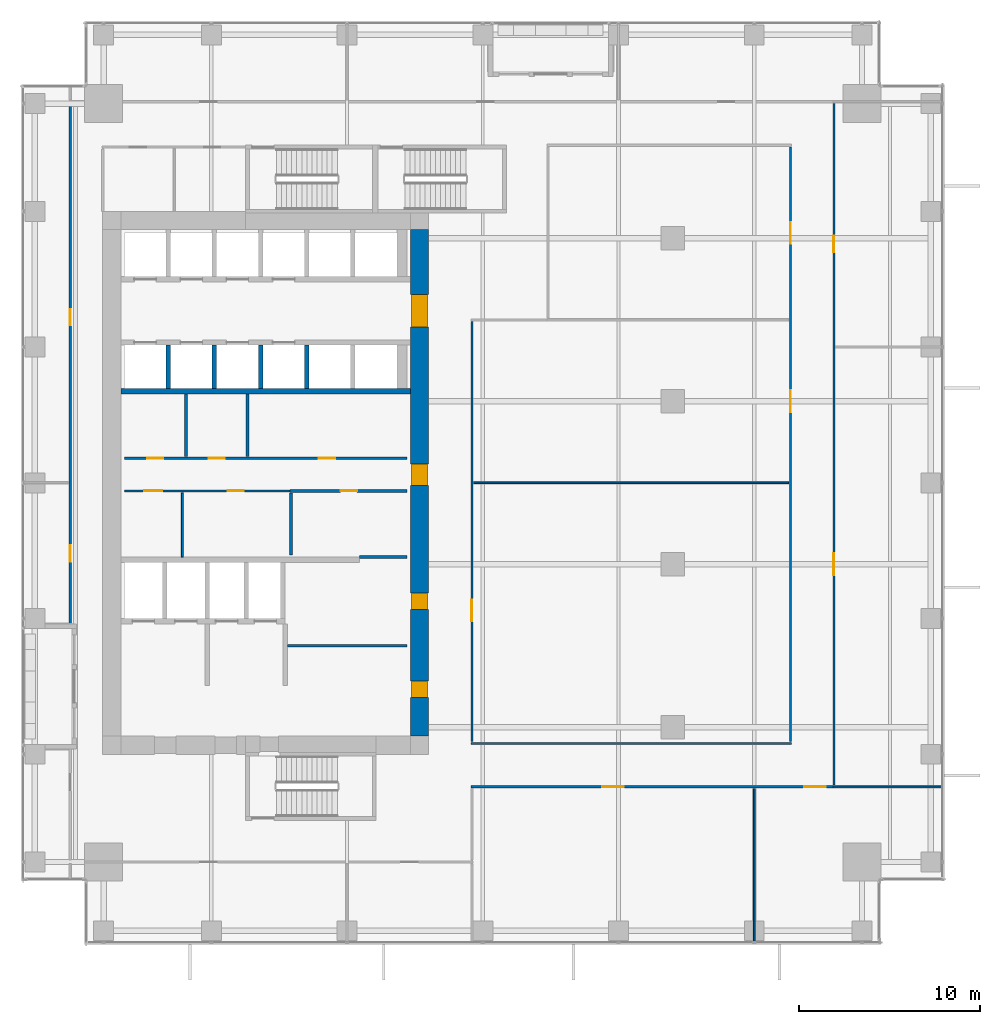
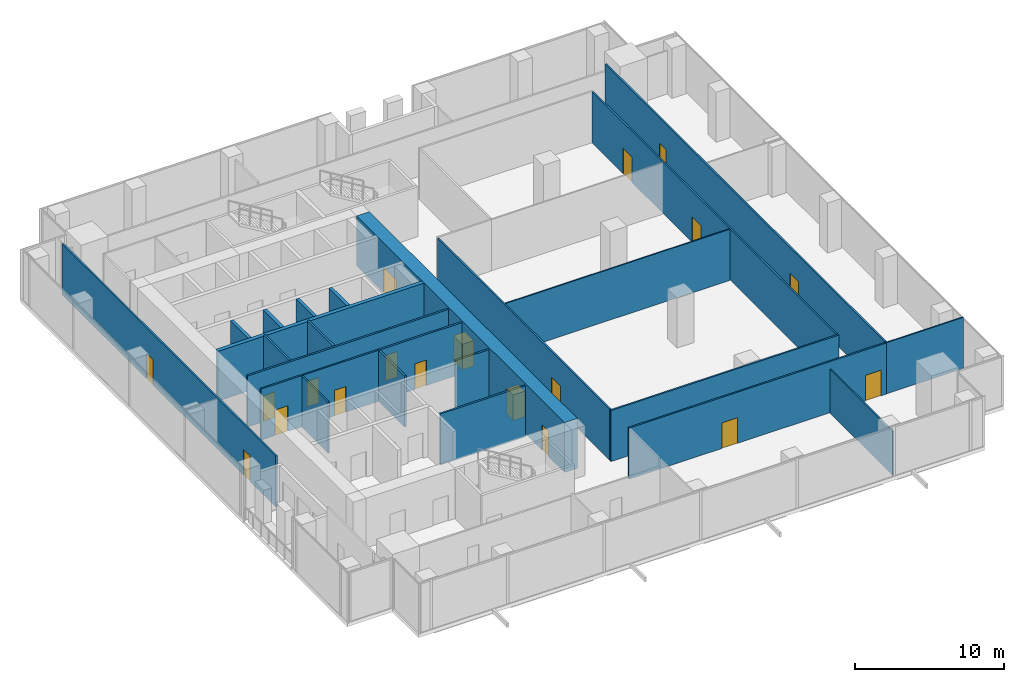
# One storey, part 29 of 34: 24 walls, 19 doors, 19 openings.
"""IFC4 building model written with IfcOpenShell, lengths in metres."""

from ifc_helpers import new_model, si_unit, direction, frame, frame_2d, origin, place, context, subcontext, project, spatial, rectangle, extrude, source, transform, mapped, material, layer, layer_set, type_object, element, fill, save


model = new_model("IFC4")

# Units and contexts
model_context = context("Model", 3, precision=1e-05, world=origin(), true_north=direction((0.0, 1.0)))
body_context = subcontext(model_context, "Body", "Model", "MODEL_VIEW")
ifc_project = project(units=[si_unit("LENGTHUNIT", "METRE"), si_unit("AREAUNIT", "SQUARE_METRE"), si_unit("VOLUMEUNIT", "CUBIC_METRE"), si_unit("PLANEANGLEUNIT", "RADIAN"), si_unit("MASSUNIT", "GRAM", prefix="KILO")], contexts=[model_context])

# Site, building, storey
site_placement = place(None, origin())
site = spatial("IfcSite", under=ifc_project, at=site_placement, CompositionType="ELEMENT")
building_placement = place(site_placement, origin())
building = spatial("IfcBuilding", under=site, at=building_placement, Name="Khomas Fold Tower", CompositionType="ELEMENT")
storey_placement = place(building_placement, frame((0.0, 0.0, 123.5)))
storey = spatial("IfcBuildingStorey", under=building, at=storey_placement, Name="L26", CompositionType="ELEMENT", Elevation=123.5)

# Wall, openings, doors
ifc_material_1 = material(Name="Concrete C70/85", Category="concrete")
ifc_layer_1 = layer(ifc_material_1, 1.0)
ifc_layer_set_1 = layer_set([ifc_layer_1], Name="Concrete C70/85")
wall_type_1 = type_object("IfcWallType", Name="Core wall 1000", PredefinedType="SHEAR", material=ifc_layer_set_1)
shared_shape_1 = source(origin(), body_context, "Body", "SweptSolid", [
    extrude(rectangle(XDim=28.0, YDim=1.0, at=frame_2d((14.0, 0.0))), origin(), (0.0, 0.0, 1.0), 4.10009765625),
])
wall_1_placement = place(storey_placement, frame((23.5, 13.0, 0.0), z_axis=(0.0, 0.0, 1.0), x_axis=(0.0, 1.0, 0.0)))
wall_1 = element("IfcWall", 1, at=wall_1_placement, inside=storey, type_object=wall_type_1, Name="Core wall CW-L-E-L21", PredefinedType="SHEAR", context=body_context, shape_type="MappedRepresentation", body=[
    mapped(shared_shape_1, transform((0.0, 0.0, 0.0))),
])
shared_shape_2 = source(origin(), body_context, "Body", "SweptSolid", [
    extrude(rectangle(XDim=1.800048828125, YDim=2.10009765625, at=frame_2d((0.89990234375, 1.050048828125))), frame((0.0, 0.510009765625, 0.0), z_axis=(0.0, -1.0, 0.0), x_axis=(1.0, 0.0, 0.0)), (0.0, 0.0, 1.0), 1.02001953125),
])
opening_1_placement = place(wall_1_placement, frame((22.60009765625, 0.0, 0.0)))
opening_1 = element("IfcOpeningElement", 2, at=opening_1_placement, cuts=wall_1, Name="Opening 0015", PredefinedType="OPENING", context=body_context, shape_type="MappedRepresentation", body=[
    mapped(shared_shape_2, transform((0.0, 0.0, 0.0))),
])
shared_shape_3 = source(origin(), body_context, "Body", "SweptSolid", [
    extrude(rectangle(XDim=1.199951171875, YDim=2.10009765625, at=frame_2d((0.60009765625, 1.050048828125))), frame((0.0, 0.510009765625, 0.0), z_axis=(0.0, -1.0, 0.0), x_axis=(1.0, 0.0, 0.0)), (0.0, 0.0, 1.0), 1.02001953125),
])
opening_2_placement = place(wall_1_placement, frame((13.85009765625, 0.0, 0.0)))
opening_2 = element("IfcOpeningElement", 3, at=opening_2_placement, cuts=wall_1, Name="Opening 0001", PredefinedType="OPENING", context=body_context, shape_type="MappedRepresentation", body=[
    mapped(shared_shape_3, transform((0.0, 0.0, 0.0))),
])
shared_shape_4 = source(origin(), body_context, "Body", "SweptSolid", [
    extrude(rectangle(XDim=0.89990234375, YDim=2.10009765625, at=frame_2d((0.449951171875, 1.050048828125))), frame((0.0, 0.510009765625, 0.0), z_axis=(0.0, -1.0, 0.0), x_axis=(1.0, 0.0, 0.0)), (0.0, 0.0, 1.0), 1.02001953125),
])
opening_3_placement = place(wall_1_placement, frame((2.14990234375, 0.0, 0.0)))
opening_3 = element("IfcOpeningElement", 4, at=opening_3_placement, cuts=wall_1, Name="Opening 0003", PredefinedType="OPENING", context=body_context, shape_type="MappedRepresentation", body=[
    mapped(shared_shape_4, transform((0.0, 0.0, 0.0))),
])
opening_4_placement = place(wall_1_placement, frame((7.0, 0.0, 0.0)))
opening_4 = element("IfcOpeningElement", 5, at=opening_4_placement, cuts=wall_1, Name="Opening 0003", PredefinedType="OPENING", context=body_context, shape_type="MappedRepresentation", body=[
    mapped(shared_shape_4, transform((0.0, 0.0, 0.0))),
])
ifc_material_2 = material(Name="Steel door leaf", Category="steel")
door_type_1 = type_object("IfcDoorType", Name="Lobby door 1800x2100", OperationType="DOUBLE_DOOR_SINGLE_SWING", PredefinedType="DOOR", material=ifc_material_2)
shared_shape_5 = source(origin(), body_context, "Body", "SweptSolid", [
    extrude(rectangle(XDim=1.800048828125, YDim=2.10009765625, at=frame_2d((0.89990234375, 1.050048828125))), frame((0.0, 0.449951171875, 0.0), z_axis=(0.0, -1.0, 0.0), x_axis=(1.0, 0.0, 0.0)), (0.0, 0.0, 1.0), 0.89990234375),
])
door_1_placement = place(opening_1_placement, origin())
door_1 = element("IfcDoor", 6, at=door_1_placement, inside=storey, type_object=door_type_1, Name="Lobby door", OperationType="DOUBLE_DOOR_SINGLE_SWING", OverallHeight=2.10009765625, OverallWidth=1.800048828125, PredefinedType="DOOR", context=body_context, shape_type="MappedRepresentation", body=[
    mapped(shared_shape_5, transform((0.0, 0.0, 0.0))),
])
fill(opening_1, door_1)
ifc_material_3 = material(Name="Timber door leaf", Category="wood")
door_type_2 = type_object("IfcDoorType", Name="Door 1200x2100 right-hand", OperationType="SINGLE_SWING_RIGHT", PredefinedType="DOOR", material=ifc_material_3)
shared_shape_6 = source(origin(), body_context, "Body", "SweptSolid", [
    extrude(rectangle(XDim=1.199951171875, YDim=2.10009765625, at=frame_2d((0.60009765625, 1.050048828125))), frame((0.0, 0.449951171875, 0.0), z_axis=(0.0, -1.0, 0.0), x_axis=(1.0, 0.0, 0.0)), (0.0, 0.0, 1.0), 0.89990234375),
])
door_2_placement = place(opening_2_placement, origin())
door_2 = element("IfcDoor", 7, at=door_2_placement, inside=storey, type_object=door_type_2, Name="Door", OperationType="SINGLE_SWING_RIGHT", OverallHeight=2.10009765625, OverallWidth=1.199951171875, PredefinedType="DOOR", context=body_context, shape_type="MappedRepresentation", body=[
    mapped(shared_shape_6, transform((0.0, 0.0, 0.0))),
])
fill(opening_2, door_2)
ifc_material_4 = material(Name="Steel door leaf", Category="steel")
door_type_3 = type_object("IfcDoorType", Name="Plant room door 900x2100 right-hand", OperationType="SINGLE_SWING_RIGHT", PredefinedType="DOOR", material=ifc_material_4)
shared_shape_7 = source(origin(), body_context, "Body", "SweptSolid", [
    extrude(rectangle(XDim=0.89990234375, YDim=2.10009765625, at=frame_2d((0.449951171875, 1.050048828125))), frame((0.0, 0.449951171875, 0.0), z_axis=(0.0, -1.0, 0.0), x_axis=(1.0, 0.0, 0.0)), (0.0, 0.0, 1.0), 0.89990234375),
])
door_3_placement = place(opening_3_placement, origin())
door_3 = element("IfcDoor", 8, at=door_3_placement, inside=storey, type_object=door_type_3, Name="Plant room door", OperationType="SINGLE_SWING_RIGHT", OverallHeight=2.10009765625, OverallWidth=0.89990234375, PredefinedType="DOOR", context=body_context, shape_type="MappedRepresentation", body=[
    mapped(shared_shape_7, transform((0.0, 0.0, 0.0))),
])
fill(opening_3, door_3)
door_4_placement = place(opening_4_placement, origin())
door_4 = element("IfcDoor", 9, at=door_4_placement, inside=storey, type_object=door_type_3, Name="Plant room door", OperationType="SINGLE_SWING_RIGHT", OverallHeight=2.10009765625, OverallWidth=0.89990234375, PredefinedType="DOOR", context=body_context, shape_type="MappedRepresentation", body=[
    mapped(shared_shape_7, transform((0.0, 0.0, 0.0))),
])
fill(opening_4, door_4)

# Walls
ifc_material_5 = material(Name="Concrete C50/60", Category="concrete")
ifc_layer_2 = layer(ifc_material_5, 0.300048828125)
ifc_layer_set_2 = layer_set([ifc_layer_2], Name="Concrete C50/60")
wall_type_2 = type_object("IfcWallType", Name="Shaft wall 300", PredefinedType="STANDARD", material=ifc_layer_set_2)
shared_shape_8 = source(origin(), body_context, "Body", "SweptSolid", [
    extrude(rectangle(XDim=16.0, YDim=0.300048828125, at=frame_2d((8.0, 0.0))), origin(), (0.0, 0.0, 1.0), 4.10009765625),
])
wall_2_placement = place(storey_placement, frame((7.0, 32.050048828125, 0.0), z_axis=(0.0, 0.0, 1.0), x_axis=(1.0, 0.0, 0.0)))
element("IfcWall", 10, at=wall_2_placement, inside=storey, type_object=wall_type_2, Name="Core wall SW-HRN-B", PredefinedType="STANDARD", context=body_context, shape_type="MappedRepresentation", body=[
    mapped(shared_shape_8, transform((0.0, 0.0, 0.0))),
])
ifc_material_6 = material(Name="Concrete C50/60", Category="concrete")
ifc_layer_3 = layer(ifc_material_6, 0.25)
ifc_layer_set_3 = layer_set([ifc_layer_3], Name="Concrete C50/60")
wall_type_3 = type_object("IfcWallType", Name="Shaft wall 250", PredefinedType="STANDARD", material=ifc_layer_set_3)
shared_shape_9 = source(origin(), body_context, "Body", "SweptSolid", [
    extrude(rectangle(XDim=2.400146484375, YDim=0.25, at=frame_2d((1.2001953125, 0.0))), origin(), (0.0, 0.0, 1.0), 4.10009765625),
])
for number, where, z_axis, x_axis, name in (
    (11, (9.625, 32.199951171875, 0.0), (0.0, 0.0, 1.0), (0.0, 1.0, 0.0), "Core wall SW-LRS-P1"),
    (12, (12.175048828125, 32.199951171875, 0.0), (0.0, 0.0, 1.0), (0.0, 1.0, 0.0), "Core wall SW-LRS-P2"),
    (13, (14.72509765625, 32.199951171875, 0.0), (0.0, 0.0, 1.0), (0.0, 1.0, 0.0), "Core wall SW-LRS-P3"),
    (14, (17.27490234375, 32.199951171875, 0.0), (0.0, 0.0, 1.0), (0.0, 1.0, 0.0), "Core wall SW-LRS-P4"),
):
    element("IfcWall", number, at=place(storey_placement, frame(where, z_axis=z_axis, x_axis=x_axis)), inside=storey, type_object=wall_type_3, Name=name, PredefinedType="STANDARD", context=body_context, shape_type="MappedRepresentation", body=[
        mapped(shared_shape_9, transform((0.0, 0.0, 0.0))),
    ])

# Wall, openings, doors
ifc_material_7 = material(Name="Plasterboard fire partition")
ifc_layer_4 = layer(ifc_material_7, 0.14990234375)
ifc_layer_set_4 = layer_set([ifc_layer_4], Name="Plasterboard fire partition")
wall_type_4 = type_object("IfcWallType", Name="Plant room wall PW3 150", PredefinedType="PARTITIONING", material=ifc_layer_set_4)
shared_shape_10 = source(origin(), body_context, "Body", "SweptSolid", [
    extrude(rectangle(XDim=15.60009765625, YDim=0.14990234375, at=frame_2d((7.800048828125, 0.0))), origin(), (0.0, 0.0, 1.0), 4.199951171875),
])
wall_3_placement = place(storey_placement, frame((7.199951171875, 28.35009765625, 0.0), z_axis=(0.0, 0.0, 1.0), x_axis=(1.0, 0.0, 0.0)))
wall_3 = element("IfcWall", 15, at=wall_3_placement, inside=storey, type_object=wall_type_4, Name="Plant room wall", PredefinedType="PARTITIONING", context=body_context, shape_type="MappedRepresentation", body=[
    mapped(shared_shape_10, transform((0.0, 0.0, 0.0))),
])
shared_shape_11 = source(origin(), body_context, "Body", "SweptSolid", [
    extrude(rectangle(XDim=0.89990234375, YDim=2.10009765625, at=frame_2d((0.449951171875, 1.050048828125))), frame((0.0, 0.0849609375, 0.0), z_axis=(0.0, -1.0, 0.0), x_axis=(1.0, 0.0, 0.0)), (0.0, 0.0, 1.0), 0.169921875),
])
opening_5_placement = place(wall_3_placement, frame((1.25, 0.0, 0.0)))
opening_5 = element("IfcOpeningElement", 16, at=opening_5_placement, cuts=wall_3, Name="Opening 0003", PredefinedType="OPENING", context=body_context, shape_type="MappedRepresentation", body=[
    mapped(shared_shape_11, transform((0.0, 0.0, 0.0))),
])
opening_6_placement = place(wall_3_placement, frame((4.64990234375, 0.0, 0.0)))
opening_6 = element("IfcOpeningElement", 17, at=opening_6_placement, cuts=wall_3, Name="Opening 0002", PredefinedType="OPENING", context=body_context, shape_type="MappedRepresentation", body=[
    mapped(shared_shape_11, transform((0.0, 0.0, 0.0))),
])
opening_7_placement = place(wall_3_placement, frame((10.75, 0.0, 0.0)))
opening_7 = element("IfcOpeningElement", 18, at=opening_7_placement, cuts=wall_3, Name="Opening 0003", PredefinedType="OPENING", context=body_context, shape_type="MappedRepresentation", body=[
    mapped(shared_shape_11, transform((0.0, 0.0, 0.0))),
])
shared_shape_12 = source(origin(), body_context, "Body", "SweptSolid", [
    extrude(rectangle(XDim=0.89990234375, YDim=2.10009765625, at=frame_2d((0.449951171875, 1.050048828125))), frame((0.0, 0.02490234375, 0.0), z_axis=(0.0, -1.0, 0.0), x_axis=(1.0, 0.0, 0.0)), (0.0, 0.0, 1.0), 0.050048828125),
])
door_5_placement = place(opening_5_placement, origin())
door_5 = element("IfcDoor", 19, at=door_5_placement, inside=storey, type_object=door_type_3, Name="Plant room door", OperationType="SINGLE_SWING_RIGHT", OverallHeight=2.10009765625, OverallWidth=0.89990234375, PredefinedType="DOOR", context=body_context, shape_type="MappedRepresentation", body=[
    mapped(shared_shape_12, transform((0.0, 0.0, 0.0))),
])
fill(opening_5, door_5)
ifc_material_8 = material(Name="Steel door leaf", Category="steel")
door_type_4 = type_object("IfcDoorType", Name="Plant room door 900x2100 left-hand", OperationType="SINGLE_SWING_LEFT", PredefinedType="DOOR", material=ifc_material_8)
door_6_placement = place(opening_6_placement, origin())
door_6 = element("IfcDoor", 20, at=door_6_placement, inside=storey, type_object=door_type_4, Name="Plant room door", OperationType="SINGLE_SWING_LEFT", OverallHeight=2.10009765625, OverallWidth=0.89990234375, PredefinedType="DOOR", context=body_context, shape_type="MappedRepresentation", body=[
    mapped(shared_shape_12, transform((0.0, 0.0, 0.0))),
])
fill(opening_6, door_6)
door_7_placement = place(opening_7_placement, origin())
door_7 = element("IfcDoor", 21, at=door_7_placement, inside=storey, type_object=door_type_3, Name="Plant room door", OperationType="SINGLE_SWING_RIGHT", OverallHeight=2.10009765625, OverallWidth=0.89990234375, PredefinedType="DOOR", context=body_context, shape_type="MappedRepresentation", body=[
    mapped(shared_shape_12, transform((0.0, 0.0, 0.0))),
])
fill(opening_7, door_7)

# Wall
ifc_material_9 = material(Name="Plasterboard partition")
ifc_layer_5 = layer(ifc_material_9, 0.10009765625)
ifc_layer_set_5 = layer_set([ifc_layer_5], Name="Plasterboard partition")
wall_type_5 = type_object("IfcWallType", Name="Partition PW1 100", PredefinedType="PARTITIONING", material=ifc_layer_set_5)
shared_shape_13 = source(origin(), body_context, "Body", "SweptSolid", [
    extrude(rectangle(XDim=8.4501953125, YDim=0.10009765625, at=frame_2d((4.22509765625, 0.0))), origin(), (0.0, 0.0, 1.0), 3.60009765625),
])
wall_4_placement = place(storey_placement, frame((42.0, 1.64990234375, 0.0), z_axis=(0.0, 0.0, 1.0), x_axis=(0.0, 1.0, 0.0)))
element("IfcWall", 22, at=wall_4_placement, inside=storey, type_object=wall_type_5, Name="Partition", PredefinedType="PARTITIONING", context=body_context, shape_type="MappedRepresentation", body=[
    mapped(shared_shape_13, transform((0.0, 0.0, 0.0))),
])

# Wall, openings, doors
ifc_material_10 = material(Name="Plasterboard partition")
ifc_layer_6 = layer(ifc_material_10, 0.125)
ifc_layer_set_6 = layer_set([ifc_layer_6], Name="Plasterboard partition")
wall_type_6 = type_object("IfcWallType", Name="Partition PW2 125", PredefinedType="PARTITIONING", material=ifc_layer_set_6)
shared_shape_14 = source(origin(), body_context, "Body", "SweptSolid", [
    extrude(rectangle(XDim=20.0, YDim=0.125, at=frame_2d((10.0, 0.0))), origin(), (0.0, 0.0, 1.0), 4.199951171875),
])
wall_5_placement = place(storey_placement, frame((26.35009765625, 10.199951171875, 0.0), z_axis=(0.0, 0.0, 1.0), x_axis=(1.0, 0.0, 0.0)))
wall_5 = element("IfcWall", 23, at=wall_5_placement, inside=storey, type_object=wall_type_6, Name="Partition", PredefinedType="PARTITIONING", context=body_context, shape_type="MappedRepresentation", body=[
    mapped(shared_shape_14, transform((0.0, 0.0, 0.0))),
])
shared_shape_15 = source(origin(), body_context, "Body", "SweptSolid", [
    extrude(rectangle(XDim=1.199951171875, YDim=2.10009765625, at=frame_2d((0.60009765625, 1.050048828125))), frame((0.0, 0.072509765625, 0.0), z_axis=(0.0, -1.0, 0.0), x_axis=(1.0, 0.0, 0.0)), (0.0, 0.0, 1.0), 0.14501953125),
])
opening_8_placement = place(wall_5_placement, frame((7.25, 0.0, 0.0)))
opening_8 = element("IfcOpeningElement", 24, at=opening_8_placement, cuts=wall_5, Name="Opening 0001", PredefinedType="OPENING", context=body_context, shape_type="MappedRepresentation", body=[
    mapped(shared_shape_15, transform((0.0, 0.0, 0.0))),
])
opening_9_placement = place(wall_5_placement, frame((18.39990234375, 0.0, 0.0)))
opening_9 = element("IfcOpeningElement", 25, at=opening_9_placement, cuts=wall_5, Name="Opening 0001", PredefinedType="OPENING", context=body_context, shape_type="MappedRepresentation", body=[
    mapped(shared_shape_15, transform((0.0, 0.0, 0.0))),
])
shared_shape_16 = source(origin(), body_context, "Body", "SweptSolid", [
    extrude(rectangle(XDim=1.199951171875, YDim=2.10009765625, at=frame_2d((0.60009765625, 1.050048828125))), frame((0.0, 0.02490234375, 0.0), z_axis=(0.0, -1.0, 0.0), x_axis=(1.0, 0.0, 0.0)), (0.0, 0.0, 1.0), 0.050048828125),
])
door_8_placement = place(opening_8_placement, origin())
door_8 = element("IfcDoor", 26, at=door_8_placement, inside=storey, type_object=door_type_2, Name="Door", OperationType="SINGLE_SWING_RIGHT", OverallHeight=2.10009765625, OverallWidth=1.199951171875, PredefinedType="DOOR", context=body_context, shape_type="MappedRepresentation", body=[
    mapped(shared_shape_16, transform((0.0, 0.0, 0.0))),
])
fill(opening_8, door_8)
door_9_placement = place(opening_9_placement, origin())
door_9 = element("IfcDoor", 27, at=door_9_placement, inside=storey, type_object=door_type_2, Name="Door", OperationType="SINGLE_SWING_RIGHT", OverallHeight=2.10009765625, OverallWidth=1.199951171875, PredefinedType="DOOR", context=body_context, shape_type="MappedRepresentation", body=[
    mapped(shared_shape_16, transform((0.0, 0.0, 0.0))),
])
fill(opening_9, door_9)

# Wall
shared_shape_17 = source(origin(), body_context, "Body", "SweptSolid", [
    extrude(rectangle(XDim=6.0, YDim=0.10009765625, at=frame_2d((3.0, 0.0))), origin(), (0.0, 0.0, 1.0), 4.199951171875),
])
wall_6_placement = place(storey_placement, frame((46.35009765625, 10.199951171875, 0.0), z_axis=(0.0, 0.0, 1.0), x_axis=(1.0, 0.0, 0.0)))
element("IfcWall", 28, at=wall_6_placement, inside=storey, type_object=wall_type_5, Name="Partition", PredefinedType="PARTITIONING", context=body_context, shape_type="MappedRepresentation", body=[
    mapped(shared_shape_17, transform((0.0, 0.0, 0.0))),
])

# Wall, openings, doors
shared_shape_18 = source(origin(), body_context, "Body", "SweptSolid", [
    extrude(rectangle(XDim=37.64990234375, YDim=0.125, at=frame_2d((18.824951171875, 0.0))), origin(), (0.0, 0.0, 1.0), 4.199951171875),
])
wall_7_placement = place(storey_placement, frame((46.39990234375, 10.300048828125, 0.0), z_axis=(0.0, 0.0, 1.0), x_axis=(0.0, 1.0, 0.0)))
wall_7 = element("IfcWall", 29, at=wall_7_placement, inside=storey, type_object=wall_type_6, Name="Partition", PredefinedType="PARTITIONING", context=body_context, shape_type="MappedRepresentation", body=[
    mapped(shared_shape_18, transform((0.0, 0.0, 0.0))),
])
opening_10_placement = place(wall_7_placement, frame((11.60009765625, 0.0, 0.0)))
opening_10 = element("IfcOpeningElement", 30, at=opening_10_placement, cuts=wall_7, Name="Opening 0001", PredefinedType="OPENING", context=body_context, shape_type="MappedRepresentation", body=[
    mapped(shared_shape_15, transform((0.0, 0.0, 0.0))),
])
shared_shape_19 = source(origin(), body_context, "Body", "SweptSolid", [
    extrude(rectangle(XDim=0.89990234375, YDim=2.10009765625, at=frame_2d((0.449951171875, 1.050048828125))), frame((0.0, 0.072509765625, 0.0), z_axis=(0.0, -1.0, 0.0), x_axis=(1.0, 0.0, 0.0)), (0.0, 0.0, 1.0), 0.14501953125),
])
opening_11_placement = place(wall_7_placement, frame((29.449951171875, 0.0, 0.0)))
opening_11 = element("IfcOpeningElement", 31, at=opening_11_placement, cuts=wall_7, Name="Opening 0008", PredefinedType="OPENING", context=body_context, shape_type="MappedRepresentation", body=[
    mapped(shared_shape_19, transform((0.0, 0.0, 0.0))),
])
ifc_material_11 = material(Name="Timber door leaf", Category="wood")
door_type_5 = type_object("IfcDoorType", Name="Door 900x2100 right-hand", OperationType="SINGLE_SWING_RIGHT", PredefinedType="DOOR", material=ifc_material_11)
door_10_placement = place(opening_11_placement, origin())
door_10 = element("IfcDoor", 32, at=door_10_placement, inside=storey, type_object=door_type_5, Name="Door", OperationType="SINGLE_SWING_RIGHT", OverallHeight=2.10009765625, OverallWidth=0.89990234375, PredefinedType="DOOR", context=body_context, shape_type="MappedRepresentation", body=[
    mapped(shared_shape_12, transform((0.0, 0.0, 0.0))),
])
fill(opening_11, door_10)
door_11_placement = place(opening_10_placement, origin())
door_11 = element("IfcDoor", 33, at=door_11_placement, inside=storey, type_object=door_type_2, Name="Door", OperationType="SINGLE_SWING_RIGHT", OverallHeight=2.10009765625, OverallWidth=1.199951171875, PredefinedType="DOOR", context=body_context, shape_type="MappedRepresentation", body=[
    mapped(shared_shape_16, transform((0.0, 0.0, 0.0))),
])
fill(opening_10, door_11)

# Wall
shared_shape_20 = source(origin(), body_context, "Body", "SweptSolid", [
    extrude(rectangle(XDim=17.699951171875, YDim=0.125, at=frame_2d((8.85009765625, 0.0))), origin(), (0.0, 0.0, 1.0), 4.199951171875),
])
wall_8_placement = place(storey_placement, frame((26.35009765625, 12.60009765625, 0.0), z_axis=(0.0, 0.0, 1.0), x_axis=(1.0, 0.0, 0.0)))
element("IfcWall", 34, at=wall_8_placement, inside=storey, type_object=wall_type_6, Name="Partition", PredefinedType="PARTITIONING", context=body_context, shape_type="MappedRepresentation", body=[
    mapped(shared_shape_20, transform((0.0, 0.0, 0.0))),
])

# Wall, opening, door
shared_shape_21 = source(origin(), body_context, "Body", "SweptSolid", [
    extrude(rectangle(XDim=23.199951171875, YDim=0.125, at=frame_2d((11.60009765625, 0.0))), origin(), (0.0, 0.0, 1.0), 4.199951171875),
])
wall_9_placement = place(storey_placement, frame((26.39990234375, 12.699951171875, 0.0), z_axis=(0.0, 0.0, 1.0), x_axis=(0.0, 1.0, 0.0)))
wall_9 = element("IfcWall", 35, at=wall_9_placement, inside=storey, type_object=wall_type_6, Name="Partition", PredefinedType="PARTITIONING", context=body_context, shape_type="MappedRepresentation", body=[
    mapped(shared_shape_21, transform((0.0, 0.0, 0.0))),
])
opening_12_placement = place(wall_9_placement, frame((6.64990234375, 0.0, 0.0)))
opening_12 = element("IfcOpeningElement", 36, at=opening_12_placement, cuts=wall_9, Name="Opening 0001", PredefinedType="OPENING", context=body_context, shape_type="MappedRepresentation", body=[
    mapped(shared_shape_15, transform((0.0, 0.0, 0.0))),
])
door_12_placement = place(opening_12_placement, origin())
door_12 = element("IfcDoor", 37, at=door_12_placement, inside=storey, type_object=door_type_2, Name="Door", OperationType="SINGLE_SWING_RIGHT", OverallHeight=2.10009765625, OverallWidth=1.199951171875, PredefinedType="DOOR", context=body_context, shape_type="MappedRepresentation", body=[
    mapped(shared_shape_16, transform((0.0, 0.0, 0.0))),
])
fill(opening_12, door_12)

# Wall, openings, doors
shared_shape_22 = source(origin(), body_context, "Body", "SweptSolid", [
    extrude(rectangle(XDim=32.85009765625, YDim=0.125, at=frame_2d((16.425048828125, 0.0))), origin(), (0.0, 0.0, 1.0), 4.199951171875),
])
wall_10_placement = place(storey_placement, frame((44.0, 12.699951171875, 0.0), z_axis=(0.0, 0.0, 1.0), x_axis=(0.0, 1.0, 0.0)))
wall_10 = element("IfcWall", 38, at=wall_10_placement, inside=storey, type_object=wall_type_6, Name="Partition", PredefinedType="PARTITIONING", context=body_context, shape_type="MappedRepresentation", body=[
    mapped(shared_shape_22, transform((0.0, 0.0, 0.0))),
])
opening_13_placement = place(wall_10_placement, frame((18.199951171875, 0.0, 0.0)))
opening_13 = element("IfcOpeningElement", 39, at=opening_13_placement, cuts=wall_10, Name="Opening 0013", PredefinedType="OPENING", context=body_context, shape_type="MappedRepresentation", body=[
    mapped(shared_shape_15, transform((0.0, 0.0, 0.0))),
])
opening_14_placement = place(wall_10_placement, frame((27.5, 0.0, 0.0)))
opening_14 = element("IfcOpeningElement", 40, at=opening_14_placement, cuts=wall_10, Name="Opening 0001", PredefinedType="OPENING", context=body_context, shape_type="MappedRepresentation", body=[
    mapped(shared_shape_15, transform((0.0, 0.0, 0.0))),
])
ifc_material_12 = material(Name="Timber door leaf", Category="wood")
door_type_6 = type_object("IfcDoorType", Name="Door 1200x2100 left-hand", OperationType="SINGLE_SWING_LEFT", PredefinedType="DOOR", material=ifc_material_12)
door_13_placement = place(opening_13_placement, origin())
door_13 = element("IfcDoor", 41, at=door_13_placement, inside=storey, type_object=door_type_6, Name="Door", OperationType="SINGLE_SWING_LEFT", OverallHeight=2.10009765625, OverallWidth=1.199951171875, PredefinedType="DOOR", context=body_context, shape_type="MappedRepresentation", body=[
    mapped(shared_shape_16, transform((0.0, 0.0, 0.0))),
])
fill(opening_13, door_13)
door_14_placement = place(opening_14_placement, origin())
door_14 = element("IfcDoor", 42, at=door_14_placement, inside=storey, type_object=door_type_2, Name="Door", OperationType="SINGLE_SWING_RIGHT", OverallHeight=2.10009765625, OverallWidth=1.199951171875, PredefinedType="DOOR", context=body_context, shape_type="MappedRepresentation", body=[
    mapped(shared_shape_16, transform((0.0, 0.0, 0.0))),
])
fill(opening_14, door_14)

# Walls
shared_shape_23 = source(origin(), body_context, "Body", "SweptSolid", [
    extrude(rectangle(XDim=6.60009765625, YDim=0.14990234375, at=frame_2d((3.300048828125, 0.0))), origin(), (0.0, 0.0, 1.0), 4.199951171875),
])
wall_11_placement = place(storey_placement, frame((16.199951171875, 18.0, 0.0), z_axis=(0.0, 0.0, 1.0), x_axis=(1.0, 0.0, 0.0)))
element("IfcWall", 43, at=wall_11_placement, inside=storey, type_object=wall_type_4, Name="Plant room wall", PredefinedType="PARTITIONING", context=body_context, shape_type="MappedRepresentation", body=[
    mapped(shared_shape_23, transform((0.0, 0.0, 0.0))),
])
shared_shape_24 = source(origin(), body_context, "Body", "SweptSolid", [
    extrude(rectangle(XDim=17.39990234375, YDim=0.10009765625, at=frame_2d((8.699951171875, 0.0))), origin(), (0.0, 0.0, 1.0), 4.199951171875),
])
wall_12_placement = place(storey_placement, frame((26.5, 27.0, 0.0), z_axis=(0.0, 0.0, 1.0), x_axis=(1.0, 0.0, 0.0)))
element("IfcWall", 44, at=wall_12_placement, inside=storey, type_object=wall_type_5, Name="Partition", PredefinedType="PARTITIONING", context=body_context, shape_type="MappedRepresentation", body=[
    mapped(shared_shape_24, transform((0.0, 0.0, 0.0))),
])
shared_shape_25 = source(origin(), body_context, "Body", "SweptSolid", [
    extrude(rectangle(XDim=2.60009765625, YDim=0.14990234375, at=frame_2d((1.300048828125, 0.0))), origin(), (0.0, 0.0, 1.0), 4.199951171875),
])
wall_13_placement = place(storey_placement, frame((20.199951171875, 22.89990234375, 0.0), z_axis=(0.0, 0.0, 1.0), x_axis=(1.0, 0.0, 0.0)))
element("IfcWall", 45, at=wall_13_placement, inside=storey, type_object=wall_type_4, Name="Plant room wall", PredefinedType="PARTITIONING", context=body_context, shape_type="MappedRepresentation", body=[
    mapped(shared_shape_25, transform((0.0, 0.0, 0.0))),
])

# Wall, openings, doors
shared_shape_26 = source(origin(), body_context, "Body", "SweptSolid", [
    extrude(rectangle(XDim=28.75, YDim=0.125, at=frame_2d((14.375, 0.0))), origin(), (0.0, 0.0, 1.0), 4.199951171875),
])
wall_14_placement = place(storey_placement, frame((4.199951171875, 19.199951171875, 0.0), z_axis=(0.0, 0.0, 1.0), x_axis=(0.0, 1.0, 0.0)))
wall_14 = element("IfcWall", 46, at=wall_14_placement, inside=storey, type_object=wall_type_6, Name="Partition", PredefinedType="PARTITIONING", context=body_context, shape_type="MappedRepresentation", body=[
    mapped(shared_shape_26, transform((0.0, 0.0, 0.0))),
])
opening_15_placement = place(wall_14_placement, frame((3.449951171875, 0.0, 0.0)))
opening_15 = element("IfcOpeningElement", 47, at=opening_15_placement, cuts=wall_14, Name="Opening 0007", PredefinedType="OPENING", context=body_context, shape_type="MappedRepresentation", body=[
    mapped(shared_shape_19, transform((0.0, 0.0, 0.0))),
])
opening_16_placement = place(wall_14_placement, frame((16.5, 0.0, 0.0)))
opening_16 = element("IfcOpeningElement", 48, at=opening_16_placement, cuts=wall_14, Name="Opening 0008", PredefinedType="OPENING", context=body_context, shape_type="MappedRepresentation", body=[
    mapped(shared_shape_19, transform((0.0, 0.0, 0.0))),
])
ifc_material_13 = material(Name="Timber door leaf", Category="wood")
door_type_7 = type_object("IfcDoorType", Name="Door 900x2100 left-hand", OperationType="SINGLE_SWING_LEFT", PredefinedType="DOOR", material=ifc_material_13)
door_15_placement = place(opening_15_placement, origin())
door_15 = element("IfcDoor", 49, at=door_15_placement, inside=storey, type_object=door_type_7, Name="Door", OperationType="SINGLE_SWING_LEFT", OverallHeight=2.10009765625, OverallWidth=0.89990234375, PredefinedType="DOOR", context=body_context, shape_type="MappedRepresentation", body=[
    mapped(shared_shape_12, transform((0.0, 0.0, 0.0))),
])
fill(opening_15, door_15)
door_16_placement = place(opening_16_placement, origin())
door_16 = element("IfcDoor", 50, at=door_16_placement, inside=storey, type_object=door_type_5, Name="Door", OperationType="SINGLE_SWING_RIGHT", OverallHeight=2.10009765625, OverallWidth=0.89990234375, PredefinedType="DOOR", context=body_context, shape_type="MappedRepresentation", body=[
    mapped(shared_shape_12, transform((0.0, 0.0, 0.0))),
])
fill(opening_16, door_16)

# Walls
shared_shape_27 = source(origin(), body_context, "Body", "SweptSolid", [
    extrude(rectangle(XDim=3.550048828125, YDim=0.10009765625, at=frame_2d((1.77490234375, 0.0))), origin(), (0.0, 0.0, 1.0), 4.199951171875),
])
wall_15_placement = place(storey_placement, frame((10.39990234375, 22.89990234375, 0.0), z_axis=(0.0, 0.0, 1.0), x_axis=(0.0, 1.0, 0.0)))
element("IfcWall", 51, at=wall_15_placement, inside=storey, type_object=wall_type_5, Name="Partition", PredefinedType="PARTITIONING", context=body_context, shape_type="MappedRepresentation", body=[
    mapped(shared_shape_27, transform((0.0, 0.0, 0.0))),
])
shared_shape_28 = source(origin(), body_context, "Body", "SweptSolid", [
    extrude(rectangle(XDim=3.449951171875, YDim=0.14990234375, at=frame_2d((1.72509765625, 0.0))), origin(), (0.0, 0.0, 1.0), 4.199951171875),
])
for number, where, z_axis, x_axis, name in (
    (52, (16.39990234375, 23.0, 0.0), (0.0, 0.0, 1.0), (0.0, 1.0, 0.0), "Plant room wall"),
    (53, (10.60009765625, 28.449951171875, 0.0), (0.0, 0.0, 1.0), (0.0, 1.0, 0.0), "Plant room wall"),
    (54, (14.0, 28.449951171875, 0.0), (0.0, 0.0, 1.0), (0.0, 1.0, 0.0), "Plant room wall"),
):
    element("IfcWall", number, at=place(storey_placement, frame(where, z_axis=z_axis, x_axis=x_axis)), inside=storey, type_object=wall_type_4, Name=name, PredefinedType="PARTITIONING", context=body_context, shape_type="MappedRepresentation", body=[
        mapped(shared_shape_28, transform((0.0, 0.0, 0.0))),
    ])

# Wall, openings, doors
shared_shape_29 = source(origin(), body_context, "Body", "SweptSolid", [
    extrude(rectangle(XDim=9.150146484375, YDim=0.125, at=frame_2d((4.5751953125, 0.0))), origin(), (0.0, 0.0, 1.0), 4.199951171875),
])
wall_16_placement = place(storey_placement, frame((7.199951171875, 26.550048828125, 0.0), z_axis=(0.0, 0.0, 1.0), x_axis=(1.0, 0.0, 0.0)))
wall_16 = element("IfcWall", 55, at=wall_16_placement, inside=storey, type_object=wall_type_6, Name="Partition", PredefinedType="PARTITIONING", context=body_context, shape_type="MappedRepresentation", body=[
    mapped(shared_shape_29, transform((0.0, 0.0, 0.0))),
])
shared_shape_30 = source(origin(), body_context, "Body", "SweptSolid", [
    extrude(rectangle(XDim=1.0, YDim=2.10009765625, at=frame_2d((0.5, 1.050048828125))), frame((0.0, 0.072509765625, 0.0), z_axis=(0.0, -1.0, 0.0), x_axis=(1.0, 0.0, 0.0)), (0.0, 0.0, 1.0), 0.14501953125),
])
opening_17_placement = place(wall_16_placement, frame((1.10009765625, 0.0, 0.0)))
opening_17 = element("IfcOpeningElement", 56, at=opening_17_placement, cuts=wall_16, Name="Opening 0006", PredefinedType="OPENING", context=body_context, shape_type="MappedRepresentation", body=[
    mapped(shared_shape_30, transform((0.0, 0.0, 0.0))),
])
opening_18_placement = place(wall_16_placement, frame((5.699951171875, 0.0, 0.0)))
opening_18 = element("IfcOpeningElement", 57, at=opening_18_placement, cuts=wall_16, Name="Opening 0007", PredefinedType="OPENING", context=body_context, shape_type="MappedRepresentation", body=[
    mapped(shared_shape_19, transform((0.0, 0.0, 0.0))),
])
door_17_placement = place(opening_18_placement, origin())
door_17 = element("IfcDoor", 58, at=door_17_placement, inside=storey, type_object=door_type_7, Name="Door", OperationType="SINGLE_SWING_LEFT", OverallHeight=2.10009765625, OverallWidth=0.89990234375, PredefinedType="DOOR", context=body_context, shape_type="MappedRepresentation", body=[
    mapped(shared_shape_12, transform((0.0, 0.0, 0.0))),
])
fill(opening_18, door_17)
ifc_material_14 = material(Name="Timber door leaf", Category="wood")
door_type_8 = type_object("IfcDoorType", Name="WC door 1000x2100 right-hand", OperationType="SINGLE_SWING_RIGHT", PredefinedType="DOOR", material=ifc_material_14)
shared_shape_31 = source(origin(), body_context, "Body", "SweptSolid", [
    extrude(rectangle(XDim=1.0, YDim=2.10009765625, at=frame_2d((0.5, 1.050048828125))), frame((0.0, 0.02490234375, 0.0), z_axis=(0.0, -1.0, 0.0), x_axis=(1.0, 0.0, 0.0)), (0.0, 0.0, 1.0), 0.050048828125),
])
door_18_placement = place(opening_17_placement, origin())
door_18 = element("IfcDoor", 59, at=door_18_placement, inside=storey, type_object=door_type_8, Name="WC door", OperationType="SINGLE_SWING_RIGHT", OverallHeight=2.10009765625, OverallWidth=1.0, PredefinedType="DOOR", context=body_context, shape_type="MappedRepresentation", body=[
    mapped(shared_shape_31, transform((0.0, 0.0, 0.0))),
])
fill(opening_17, door_18)

# Wall, opening, door
shared_shape_32 = source(origin(), body_context, "Body", "SweptSolid", [
    extrude(rectangle(XDim=6.449951171875, YDim=0.14990234375, at=frame_2d((3.22509765625, 0.0))), origin(), (0.0, 0.0, 1.0), 4.199951171875),
])
wall_17_placement = place(storey_placement, frame((16.35009765625, 26.550048828125, 0.0), z_axis=(0.0, 0.0, 1.0), x_axis=(1.0, 0.0, 0.0)))
wall_17 = element("IfcWall", 60, at=wall_17_placement, inside=storey, type_object=wall_type_4, Name="Plant room wall", PredefinedType="PARTITIONING", context=body_context, shape_type="MappedRepresentation", body=[
    mapped(shared_shape_32, transform((0.0, 0.0, 0.0))),
])
opening_19_placement = place(wall_17_placement, frame((2.800048828125, 0.0, 0.0)))
opening_19 = element("IfcOpeningElement", 61, at=opening_19_placement, cuts=wall_17, Name="Opening 0003", PredefinedType="OPENING", context=body_context, shape_type="MappedRepresentation", body=[
    mapped(shared_shape_11, transform((0.0, 0.0, 0.0))),
])
door_19_placement = place(opening_19_placement, origin())
door_19 = element("IfcDoor", 62, at=door_19_placement, inside=storey, type_object=door_type_3, Name="Plant room door", OperationType="SINGLE_SWING_RIGHT", OverallHeight=2.10009765625, OverallWidth=0.89990234375, PredefinedType="DOOR", context=body_context, shape_type="MappedRepresentation", body=[
    mapped(shared_shape_12, transform((0.0, 0.0, 0.0))),
])
fill(opening_19, door_19)

save(model, "model.ifc")
